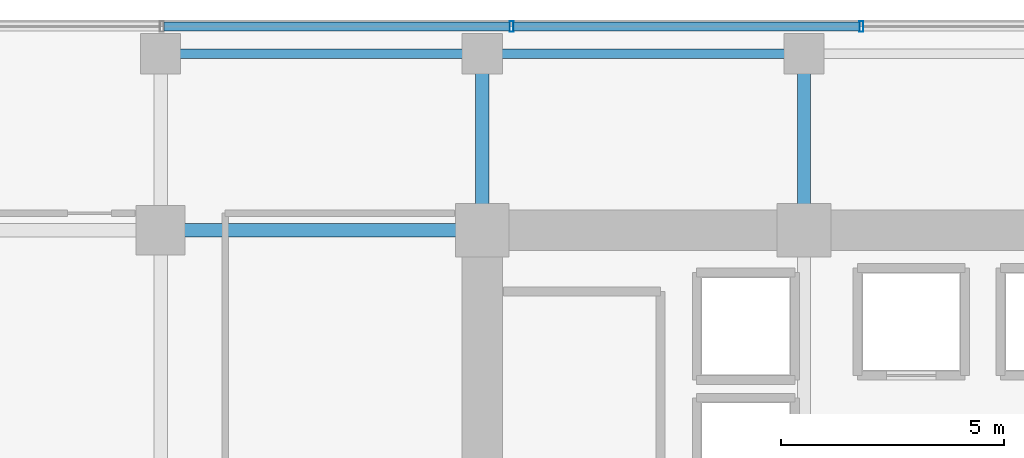
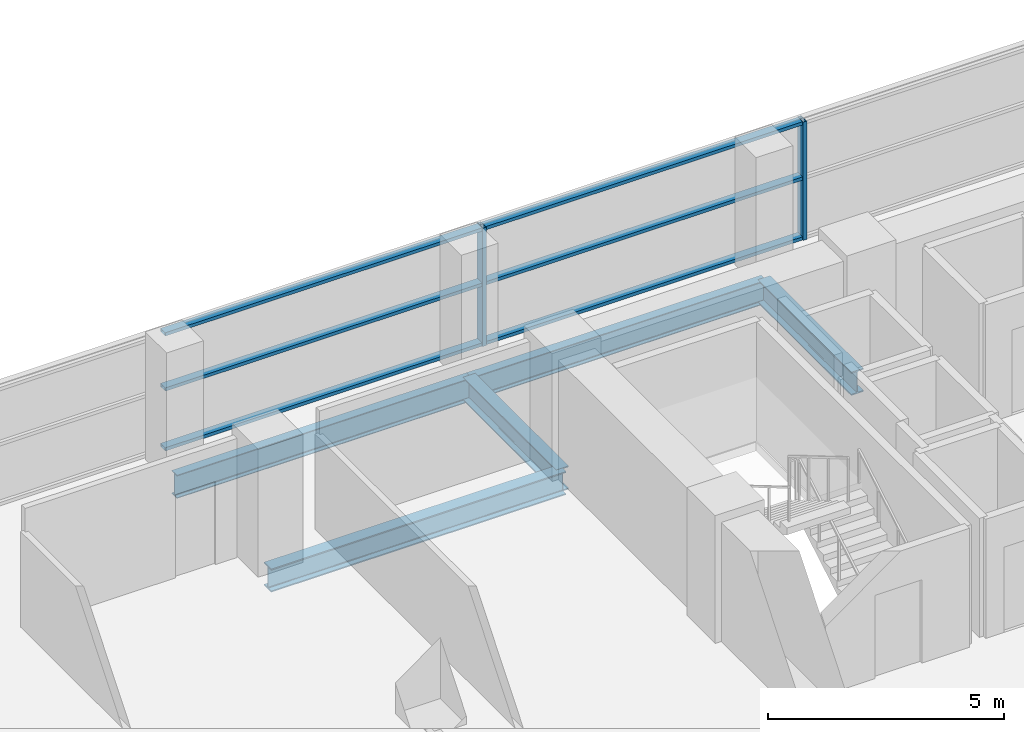
# One storey, part 18 of 30: 8 members, 5 beams, 1 element without a shape of its own.
"""IFC4 building model written with IfcOpenShell, lengths in metres."""

from ifc_helpers import new_model, si_unit, direction, frame, origin, origin_2d, place, context, subcontext, project, spatial, hollow_rectangle, i_section, extrude, source, transform, mapped, material, layer, layer_set, material_profile, profile_set, type_object, element, aggregate, save


model = new_model("IFC4")

# Units and contexts
model_context = context("Model", 3, precision=1e-05, world=origin(), true_north=direction((0.0, 1.0)))
body_context = subcontext(model_context, "Body", "Model", "MODEL_VIEW")
ifc_project = project(units=[si_unit("LENGTHUNIT", "METRE"), si_unit("AREAUNIT", "SQUARE_METRE"), si_unit("VOLUMEUNIT", "CUBIC_METRE"), si_unit("PLANEANGLEUNIT", "RADIAN"), si_unit("MASSUNIT", "GRAM", prefix="KILO")], contexts=[model_context])

# Site, building, storey
site_placement = place(None, origin())
site = spatial("IfcSite", under=ifc_project, at=site_placement, CompositionType="ELEMENT")
building_placement = place(site_placement, origin())
building = spatial("IfcBuilding", under=site, at=building_placement, Name="Zarnakvel Exchange Tower", CompositionType="ELEMENT")
storey_placement = place(building_placement, frame((0.0, 0.0, 34.0)))
storey = spatial("IfcBuildingStorey", under=building, at=storey_placement, Name="L08", CompositionType="ELEMENT", Elevation=34.0)

# Beams
ifc_material_1 = material(Name="Steel S355", Category="steel")
ifc_material_profile_1 = material_profile(ifc_material_1, i_section(OverallWidth=0.300048828125, OverallDepth=0.60009765625, WebThickness=0.015380859375, FlangeThickness=0.030029296875, FilletRadius=0.027099609375, at=origin_2d()))
ifc_profile_set_1 = profile_set([ifc_material_profile_1], Name="Steel S355")
beam_type_1 = type_object("IfcBeamType", Name="G-04", PredefinedType="BEAM", material=ifc_profile_set_1)
beam_1_placement = place(storey_placement, frame((-21.60009765625, 13.5, -0.52490234375), z_axis=(1.0, 0.0, 0.0), x_axis=(0.0, 1.0, 0.0)))
element("IfcBeam", 1, at=beam_1_placement, inside=storey, type_object=beam_type_1, Name="L08 Tower E-W Frame Beam", PredefinedType="BEAM", context=body_context, shape_type="SweptSolid", body=[
    extrude(i_section(OverallWidth=0.300048828125, OverallDepth=0.60009765625, WebThickness=0.015380859375, FlangeThickness=0.030029296875, FilletRadius=0.027099609375, at=origin_2d()), origin(), (0.0, 0.0, 1.0), 7.2001953125),
])
for number, where, z_axis, x_axis, name in (
    (2, (-14.39990234375, 13.5, -0.52490234375), (0.0, 1.0, 0.0), (-1.0, 0.0, 0.0), "L08 Tower N-S Frame Beam"),
    (3, (-7.199951171875, 13.5, -0.52490234375), (0.0, 1.0, 0.0), (-1.0, 0.0, 0.0), "L08 Tower N-S Frame Beam"),
):
    element("IfcBeam", number, at=place(storey_placement, frame(where, z_axis=z_axis, x_axis=x_axis)), inside=storey, type_object=beam_type_1, Name=name, PredefinedType="BEAM", context=body_context, shape_type="SweptSolid", body=[
        extrude(i_section(OverallWidth=0.300048828125, OverallDepth=0.60009765625, WebThickness=0.015380859375, FlangeThickness=0.030029296875, FilletRadius=0.027099609375, at=origin_2d()), origin(), (0.0, 0.0, 1.0), 3.949951171875),
    ])
ifc_material_profile_2 = material_profile(ifc_material_1, i_section(OverallWidth=0.219970703125, OverallDepth=0.60009765625, WebThickness=0.011962890625, FlangeThickness=0.01904296875, FilletRadius=0.02392578125, at=origin_2d()))
ifc_profile_set_2 = profile_set([ifc_material_profile_2], Name="Steel S355")
beam_type_2 = type_object("IfcBeamType", Name="SP-01", PredefinedType="SPANDREL", material=ifc_profile_set_2)
beam_2_placement = place(storey_placement, frame((-21.60009765625, 17.449951171875, -0.52490234375), z_axis=(1.0, 0.0, 0.0), x_axis=(0.0, 1.0, 0.0)))
element("IfcBeam", 4, at=beam_2_placement, inside=storey, type_object=beam_type_2, Name="L08 Tower E-W Frame Beam", PredefinedType="SPANDREL", context=body_context, shape_type="SweptSolid", body=[
    extrude(i_section(OverallWidth=0.219970703125, OverallDepth=0.60009765625, WebThickness=0.011962890625, FlangeThickness=0.01904296875, FilletRadius=0.02392578125, at=origin_2d()), origin(), (0.0, 0.0, 1.0), 7.2001953125),
])
beam_3_placement = place(storey_placement, frame((-14.39990234375, 17.449951171875, -0.52490234375), z_axis=(1.0, 0.0, 0.0), x_axis=(0.0, 1.0, 0.0)))
element("IfcBeam", 5, at=beam_3_placement, inside=storey, type_object=beam_type_2, Name="L08 Tower E-W Frame Beam", PredefinedType="SPANDREL", context=body_context, shape_type="SweptSolid", body=[
    extrude(i_section(OverallWidth=0.219970703125, OverallDepth=0.60009765625, WebThickness=0.011962890625, FlangeThickness=0.01904296875, FilletRadius=0.02392578125, at=origin_2d()), origin(), (0.0, 0.0, 1.0), 7.199951171875),
])

# Curtain wall, members
ifc_material_2 = material(Name="Architectural Bronze Anodised Aluminium", Category="aluminium")
ifc_layer = layer(ifc_material_2, 0.239990234375)
ifc_layer_set = layer_set([ifc_layer], Name="Architectural Bronze Anodised Aluminium")
curtain_wall_type = type_object("IfcCurtainWallType", Name="CW-02", PredefinedType="NOTDEFINED", material=ifc_layer_set)
curtain_wall_placement = place(storey_placement, origin())
curtain_wall = element("IfcCurtainWall", 6, at=curtain_wall_placement, inside=storey, type_object=curtain_wall_type, Name="L08 Curtain Wall CW-L08-N1 (CW-02)", PredefinedType="NOTDEFINED")
ifc_material_profile_3 = material_profile(ifc_material_2, hollow_rectangle(XDim=0.199951171875, YDim=0.0849609375, WallThickness=0.0048828125, at=origin_2d()))
ifc_profile_set_3 = profile_set([ifc_material_profile_3], Name="Architectural Bronze Anodised Aluminium")
member_type_1 = type_object("IfcMemberType", Name="CWT-02", PredefinedType="USERDEFINED", material=ifc_profile_set_3)
shared_shape_1 = source(origin(), body_context, "Body", "SweptSolid", [
    extrude(hollow_rectangle(XDim=0.199951171875, YDim=0.0849609375, WallThickness=0.0048828125, at=origin_2d()), origin(), (0.0, 0.0, 1.0), 7.738525390625),
])
member_1_placement = place(storey_placement, frame((-21.5263671875, 18.06005859375, 0.04248046875), z_axis=(1.0, 0.0, 0.0), x_axis=(0.0, 1.0, 0.0)))
member_1 = element("IfcMember", 7, at=member_1_placement, type_object=member_type_1, Name="CW-02 transom 2.1", ObjectType="TRANSOM", PredefinedType="USERDEFINED", context=body_context, shape_type="MappedRepresentation", body=[
    mapped(shared_shape_1, transform((0.0, 0.0, 0.0), x_axis=(1.0, 0.0, 0.0), y_axis=(0.0, 1.0, 0.0), z_axis=(0.0, 0.0, 1.0), scale=1.0)),
])
member_2_placement = place(storey_placement, frame((-21.5263671875, 18.06005859375, 1.588623046875), z_axis=(1.0, 0.0, 0.0), x_axis=(0.0, 1.0, 0.0)))
member_2 = element("IfcMember", 8, at=member_2_placement, type_object=member_type_1, Name="CW-02 transom 2.2", ObjectType="TRANSOM", PredefinedType="USERDEFINED", context=body_context, shape_type="MappedRepresentation", body=[
    mapped(shared_shape_1, transform((0.0, 0.0, 0.0), x_axis=(1.0, 0.0, 0.0), y_axis=(0.0, 1.0, 0.0), z_axis=(0.0, 0.0, 1.0), scale=1.0)),
])
member_3_placement = place(storey_placement, frame((-21.5263671875, 18.06005859375, 3.012451171875), z_axis=(1.0, 0.0, 0.0), x_axis=(0.0, 1.0, 0.0)))
member_3 = element("IfcMember", 9, at=member_3_placement, type_object=member_type_1, Name="CW-02 transom 2.3", ObjectType="TRANSOM", PredefinedType="USERDEFINED", context=body_context, shape_type="MappedRepresentation", body=[
    mapped(shared_shape_1, transform((0.0, 0.0, 0.0), x_axis=(1.0, 0.0, 0.0), y_axis=(0.0, 1.0, 0.0), z_axis=(0.0, 0.0, 1.0), scale=1.0)),
])
member_4_placement = place(storey_placement, frame((-13.69775390625, 18.06005859375, 0.04248046875), z_axis=(1.0, 0.0, 0.0), x_axis=(0.0, 1.0, 0.0)))
member_4 = element("IfcMember", 10, at=member_4_placement, type_object=member_type_1, Name="CW-02 transom 3.1", ObjectType="TRANSOM", PredefinedType="USERDEFINED", context=body_context, shape_type="MappedRepresentation", body=[
    mapped(shared_shape_1, transform((0.0, 0.0, 0.0), x_axis=(1.0, 0.0, 0.0), y_axis=(0.0, 1.0, 0.0), z_axis=(0.0, 0.0, 1.0), scale=1.0)),
])
member_5_placement = place(storey_placement, frame((-13.69775390625, 18.06005859375, 1.588623046875), z_axis=(1.0, 0.0, 0.0), x_axis=(0.0, 1.0, 0.0)))
member_5 = element("IfcMember", 11, at=member_5_placement, type_object=member_type_1, Name="CW-02 transom 3.2", ObjectType="TRANSOM", PredefinedType="USERDEFINED", context=body_context, shape_type="MappedRepresentation", body=[
    mapped(shared_shape_1, transform((0.0, 0.0, 0.0), x_axis=(1.0, 0.0, 0.0), y_axis=(0.0, 1.0, 0.0), z_axis=(0.0, 0.0, 1.0), scale=1.0)),
])
member_6_placement = place(storey_placement, frame((-13.69775390625, 18.06005859375, 3.012451171875), z_axis=(1.0, 0.0, 0.0), x_axis=(0.0, 1.0, 0.0)))
member_6 = element("IfcMember", 12, at=member_6_placement, type_object=member_type_1, Name="CW-02 transom 3.3", ObjectType="TRANSOM", PredefinedType="USERDEFINED", context=body_context, shape_type="MappedRepresentation", body=[
    mapped(shared_shape_1, transform((0.0, 0.0, 0.0), x_axis=(1.0, 0.0, 0.0), y_axis=(0.0, 1.0, 0.0), z_axis=(0.0, 0.0, 1.0), scale=1.0)),
])
ifc_material_profile_4 = material_profile(ifc_material_2, hollow_rectangle(XDim=0.239990234375, YDim=0.090087890625, WallThickness=0.006103515625, at=origin_2d()))
ifc_profile_set_4 = profile_set([ifc_material_profile_4], Name="Architectural Bronze Anodised Aluminium")
member_type_2 = type_object("IfcMemberType", Name="CWM-02", PredefinedType="MULLION", material=ifc_profile_set_4)
shared_shape_2 = source(origin(), body_context, "Body", "SweptSolid", [
    extrude(hollow_rectangle(XDim=0.239990234375, YDim=0.090087890625, WallThickness=0.006103515625, at=origin_2d()), origin(), (0.0, 0.0, 1.0), 3.054931640625),
])
member_7_placement = place(storey_placement, frame((-13.742919921875, 18.06005859375, 0.0), z_axis=(0.0, 0.0, 1.0), x_axis=(0.0, 1.0, 0.0)))
member_7 = element("IfcMember", 13, at=member_7_placement, type_object=member_type_2, Name="CW-02 mullion 3", PredefinedType="MULLION", context=body_context, shape_type="MappedRepresentation", body=[
    mapped(shared_shape_2, transform((0.0, 0.0, 0.0), x_axis=(1.0, 0.0, 0.0), y_axis=(0.0, 1.0, 0.0), z_axis=(0.0, 0.0, 1.0), scale=1.0)),
])
member_8_placement = place(storey_placement, frame((-5.914306640625, 18.06005859375, 0.0), z_axis=(0.0, 0.0, 1.0), x_axis=(0.0, 1.0, 0.0)))
member_8 = element("IfcMember", 14, at=member_8_placement, type_object=member_type_2, Name="CW-02 mullion 4", PredefinedType="MULLION", context=body_context, shape_type="MappedRepresentation", body=[
    mapped(shared_shape_2, transform((0.0, 0.0, 0.0), x_axis=(1.0, 0.0, 0.0), y_axis=(0.0, 1.0, 0.0), z_axis=(0.0, 0.0, 1.0), scale=1.0)),
])
aggregate(curtain_wall, [member_7, member_8, member_1, member_2, member_3, member_4, member_5, member_6])

save(model, "model.ifc")
